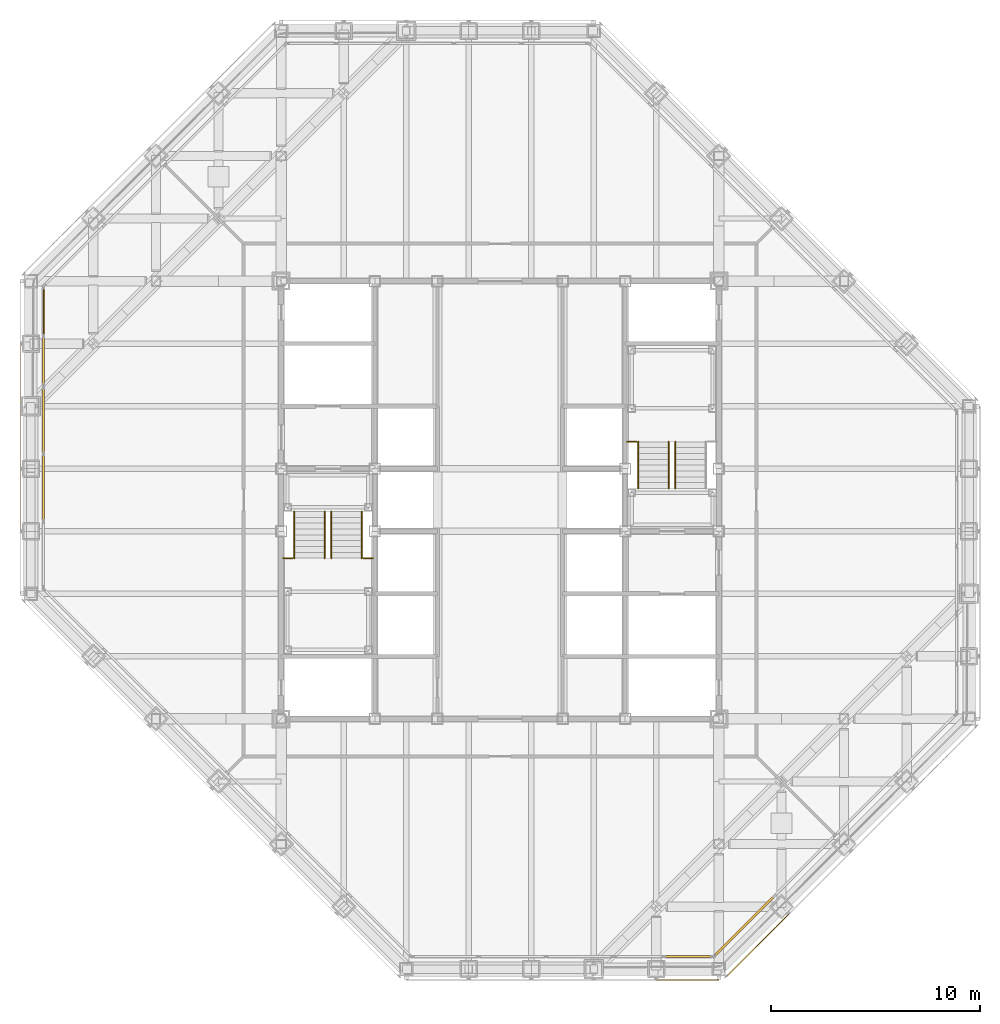
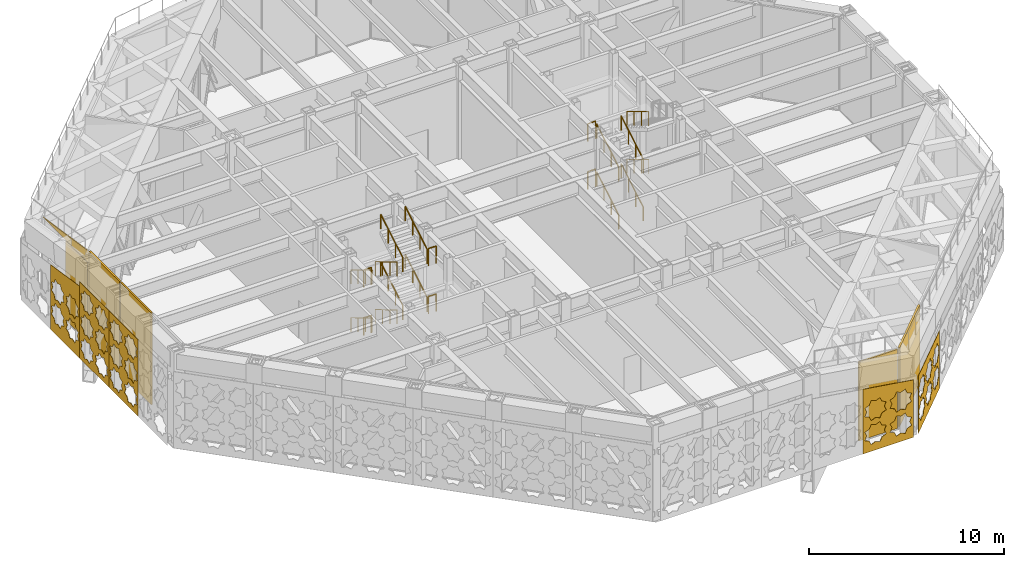
# One storey, part 24 of 29: 20 railings, 6 coverings, 5 shading devices, 4 elements without a shape of their own.
"""IFC4 building model written with IfcOpenShell, lengths in metres."""

from ifc_helpers import new_model, si_unit, direction, frame, origin, origin_2d, place, context, subcontext, project, spatial, polyline, rectangle, circle, outline, extrude, material, layer, layer_set, type_object, element, aggregate, save


model = new_model("IFC4")

# Units and contexts
model_context = context("Model", 3, precision=1e-05, world=origin(), true_north=direction((0.0, 1.0)))
body_context = subcontext(model_context, "Body", "Model", "MODEL_VIEW")
ifc_project = project(units=[si_unit("LENGTHUNIT", "METRE"), si_unit("AREAUNIT", "SQUARE_METRE"), si_unit("VOLUMEUNIT", "CUBIC_METRE"), si_unit("PLANEANGLEUNIT", "RADIAN"), si_unit("MASSUNIT", "GRAM", prefix="KILO")], contexts=[model_context])

# Site, building, storey
site_placement = place(None, origin())
site = spatial("IfcSite", under=ifc_project, at=site_placement, CompositionType="ELEMENT")
building_placement = place(site_placement, origin())
building = spatial("IfcBuilding", under=site, at=building_placement, Name="Chuquiago Exchange Tower", CompositionType="ELEMENT")
storey_placement = place(building_placement, frame((0.0, 0.0, 251.699951171875)))
storey = spatial("IfcBuildingStorey", under=building, at=storey_placement, Name="L56", CompositionType="ELEMENT", Elevation=251.699951171875)

# Curtain wall, shading device
ifc_material_1 = material(Name="Aluminium curtain wall system", Category="aluminium")
ifc_layer_1 = layer(ifc_material_1, 0.199951171875)
ifc_layer_set_1 = layer_set([ifc_layer_1], Name="CW6 plant floor louvre wall")
curtain_wall_type = type_object("IfcCurtainWallType", Name="CW6 plant floor louvre wall", PredefinedType="NOTDEFINED", material=ifc_layer_set_1)
curtain_wall_1_placement = place(storey_placement, origin())
curtain_wall_1 = element("IfcCurtainWall", 1, at=curtain_wall_1_placement, inside=storey, type_object=curtain_wall_type, Name="CW6 curtain wall L56", PredefinedType="NOTDEFINED")
ifc_material_2 = material(Name="Aluminium louvre", Category="aluminium")
ifc_layer_2 = layer(ifc_material_2, 0.10009765625)
ifc_layer_set_2 = layer_set([ifc_layer_2], Name="CW6-P louvre panel 100")
shading_device_type = type_object("IfcShadingDeviceType", Name="CW6-P louvre panel 100", PredefinedType="USERDEFINED", material=ifc_layer_set_2)
shading_device_1_placement = place(storey_placement, frame((31.533203125, 0.60009765625, 0.074951171875), z_axis=(0.0, 0.0, 1.0), x_axis=(1.0, 0.0, 0.0)))
shading_device_1 = element("IfcShadingDevice", 2, at=shading_device_1_placement, type_object=shading_device_type, Name="CW6 panel 2.1", ObjectType="LOUVER", PredefinedType="USERDEFINED", context=body_context, shape_type="SweptSolid", body=[
    extrude(rectangle(XDim=2.286376953125, YDim=0.10009765625, at=origin_2d()), origin(), (0.0, 0.0, 1.0), 4.9462890625),
])
aggregate(curtain_wall_1, [shading_device_1])

curtain_wall_2_placement = place(storey_placement, origin())
curtain_wall_2 = element("IfcCurtainWall", 3, at=curtain_wall_2_placement, inside=storey, type_object=curtain_wall_type, Name="CW6 curtain wall L56", PredefinedType="NOTDEFINED")
shading_device_2_placement = place(storey_placement, frame((34.220703125, 2.0693359375, 0.074951171875), z_axis=(0.0, 0.0, 1.0), x_axis=(0.707106781187, 0.707106781187, 0.0)))
shading_device_2 = element("IfcShadingDevice", 4, at=shading_device_2_placement, type_object=shading_device_type, Name="CW6 panel 1.1", ObjectType="LOUVER", PredefinedType="USERDEFINED", context=body_context, shape_type="SweptSolid", body=[
    extrude(rectangle(XDim=4.005859375, YDim=0.10009765625, at=origin_2d()), origin(), (0.0, 0.0, 1.0), 4.9462890625),
])
aggregate(curtain_wall_2, [shading_device_2])

curtain_wall_3_placement = place(storey_placement, origin())
curtain_wall_3 = element("IfcCurtainWall", 5, at=curtain_wall_3_placement, inside=storey, type_object=curtain_wall_type, Name="CW6 curtain wall L56", PredefinedType="NOTDEFINED")
shading_device_3_placement = place(storey_placement, frame((0.60009765625, 29.171875, 0.074951171875), z_axis=(0.0, 0.0, 1.0), x_axis=(0.0, -1.0, 0.0)))
shading_device_3 = element("IfcShadingDevice", 6, at=shading_device_3_placement, type_object=shading_device_type, Name="CW6 panel 2.1", ObjectType="LOUVER", PredefinedType="USERDEFINED", context=body_context, shape_type="SweptSolid", body=[
    extrude(rectangle(XDim=2.286376953125, YDim=0.10009765625, at=origin_2d()), origin(), (0.0, 0.0, 1.0), 4.9462890625),
])
aggregate(curtain_wall_3, [shading_device_3])

# Curtain wall, shading devices
curtain_wall_4_placement = place(storey_placement, origin())
curtain_wall_4 = element("IfcCurtainWall", 7, at=curtain_wall_4_placement, inside=storey, type_object=curtain_wall_type, Name="CW6 curtain wall L56", PredefinedType="NOTDEFINED")
shading_device_4_placement = place(storey_placement, frame((0.60009765625, 26.3173828125, 0.0751953125), z_axis=(0.0, 0.0, 1.0), x_axis=(0.0, -1.0, 0.0)))
shading_device_4 = element("IfcShadingDevice", 8, at=shading_device_4_placement, type_object=shading_device_type, Name="CW6 panel 1.1", ObjectType="LOUVER", PredefinedType="USERDEFINED", context=body_context, shape_type="SweptSolid", body=[
    extrude(rectangle(XDim=3.12255859375, YDim=0.10009765625, at=origin_2d()), origin(), (0.0, 0.0, 1.0), 5.764892578125),
])
shading_device_5_placement = place(storey_placement, frame((0.60009765625, 23.10107421875, 0.0751953125), z_axis=(0.0, 0.0, 1.0), x_axis=(0.0, -1.0, 0.0)))
shading_device_5 = element("IfcShadingDevice", 9, at=shading_device_5_placement, type_object=shading_device_type, Name="CW6 panel 2.1", ObjectType="LOUVER", PredefinedType="USERDEFINED", context=body_context, shape_type="SweptSolid", body=[
    extrude(rectangle(XDim=3.159912109375, YDim=0.10009765625, at=origin_2d()), origin(), (0.0, 0.0, 1.0), 5.764892578125),
])
aggregate(curtain_wall_4, [shading_device_4, shading_device_5])

# Coverings
ifc_material_3 = material(Name="Pale metal insulated fascia panel", Category="aluminium")
ifc_layer_3 = layer(ifc_material_3, 0.050048828125)
ifc_layer_set_3 = layer_set([ifc_layer_3], Name="FX1 raked fascia panel 50")
covering_type_1 = type_object("IfcCoveringType", Name="FX1 raked fascia panel 50", PredefinedType="CLADDING", material=ifc_layer_set_3)
covering_1_placement = place(storey_placement, frame((0.60009765625, 32.75146484375, 5.021240234375), z_axis=(-1.0, 0.0, 0.0), x_axis=(0.0, -1.0, 0.0)))
element("IfcCovering", 10, at=covering_1_placement, inside=storey, type_object=covering_type_1, Name="Raked fascia L56 W under the NW facet roof", PredefinedType="CLADDING", context=body_context, shape_type="SweptSolid", body=[
    extrude(outline(polyline([(0.0, 0.0), (4.7978515625, 0.0), (4.7978515625, 0.72119140625), (0.0, 0.0)])), origin(), (0.0, 0.0, -1.0), 0.050048828125),
])
ifc_material_4 = material(Name="Anodised aluminium, pale", Category="aluminium")
ifc_layer_4 = layer(ifc_material_4, 0.02001953125)
ifc_layer_set_4 = layer_set([ifc_layer_4], Name="GC1 girih cladding panel 20")
covering_type_2 = type_object("IfcCoveringType", Name="GC1 girih cladding panel 20", PredefinedType="CLADDING", material=ifc_layer_set_4)
covering_2_placement = place(storey_placement, frame((30.0048828125, -0.5, 0.050048828125), z_axis=(0.0, 0.0, 1.0), x_axis=(1.0, 0.0, 0.0)))
element("IfcCovering", 11, at=covering_2_placement, inside=storey, type_object=covering_type_2, Name="Girih cladding panel L56 S 5", PredefinedType="CLADDING", context=body_context, shape_type="SweptSolid", body=[
    extrude(outline(polyline([(0.0, 0.0), (2.989990234375, 0.0), (2.989990234375, 3.59912109375), (0.0, 4.04833984375), (0.0, 0.0)]), holes=[polyline([(1.27392578125, 1.052001953125), (1.3828125, 1.315185546875), (1.11962890625, 1.42431640625), (1.0107421875, 1.6875), (0.74755859375, 1.578369140625), (0.484375, 1.6875), (0.375244140625, 1.42431640625), (0.112060546875, 1.315185546875), (0.22119140625, 1.052001953125), (0.112060546875, 0.788818359375), (0.375244140625, 0.6796875), (0.484375, 0.41650390625), (0.74755859375, 0.525634765625), (1.0107421875, 0.41650390625), (1.11962890625, 0.6796875), (1.3828125, 0.788818359375), (1.27392578125, 1.052001953125)]), polyline([(2.768798828125, 1.052001953125), (2.8779296875, 1.315185546875), (2.61474609375, 1.42431640625), (2.505615234375, 1.6875), (2.242431640625, 1.578369140625), (1.979248046875, 1.6875), (1.870361328125, 1.42431640625), (1.607177734375, 1.315185546875), (1.716064453125, 1.052001953125), (1.607177734375, 0.788818359375), (1.870361328125, 0.6796875), (1.979248046875, 0.41650390625), (2.242431640625, 0.525634765625), (2.505615234375, 0.41650390625), (2.61474609375, 0.6796875), (2.8779296875, 0.788818359375), (2.768798828125, 1.052001953125)]), polyline([(1.27392578125, 2.547119140625), (1.3828125, 2.810302734375), (1.11962890625, 2.919189453125), (1.0107421875, 3.182373046875), (0.74755859375, 3.073486328125), (0.484375, 3.182373046875), (0.375244140625, 2.919189453125), (0.112060546875, 2.810302734375), (0.22119140625, 2.547119140625), (0.112060546875, 2.28369140625), (0.375244140625, 2.1748046875), (0.484375, 1.91162109375), (0.74755859375, 2.0205078125), (1.0107421875, 1.91162109375), (1.11962890625, 2.1748046875), (1.3828125, 2.28369140625), (1.27392578125, 2.547119140625)]), polyline([(2.768798828125, 2.547119140625), (2.8779296875, 2.810302734375), (2.61474609375, 2.919189453125), (2.505615234375, 3.182373046875), (2.242431640625, 3.073486328125), (1.979248046875, 3.182373046875), (1.870361328125, 2.919189453125), (1.607177734375, 2.810302734375), (1.716064453125, 2.547119140625), (1.607177734375, 2.28369140625), (1.870361328125, 2.1748046875), (1.979248046875, 1.91162109375), (2.242431640625, 2.0205078125), (2.505615234375, 1.91162109375), (2.61474609375, 2.1748046875), (2.8779296875, 2.28369140625), (2.768798828125, 2.547119140625)])]), frame((0.0, 0.0, 0.0), z_axis=(0.0, -1.0, 0.0), x_axis=(1.0, 0.0, 0.0)), (0.0, 0.0, 1.0), 0.02001953125),
])
covering_3_placement = place(storey_placement, frame((-0.5, 29.9951171875, 0.050048828125), z_axis=(0.0, 0.0, 1.0), x_axis=(0.0, -1.0, 0.0)))
element("IfcCovering", 12, at=covering_3_placement, inside=storey, type_object=covering_type_2, Name="Girih cladding panel L56 W 2", PredefinedType="CLADDING", context=body_context, shape_type="SweptSolid", body=[
    extrude(outline(polyline([(0.0, 0.0), (2.989990234375, 0.0), (2.989990234375, 4.499267578125), (0.0, 4.0498046875), (0.0, 0.0)]), holes=[polyline([(1.27392578125, 1.27734375), (1.3828125, 1.54052734375), (1.11962890625, 1.649658203125), (1.0107421875, 1.912841796875), (0.74755859375, 1.8037109375), (0.484375, 1.912841796875), (0.375244140625, 1.649658203125), (0.112060546875, 1.54052734375), (0.22119140625, 1.27734375), (0.112060546875, 1.014404296875), (0.375244140625, 0.9052734375), (0.484375, 0.64208984375), (0.74755859375, 0.751220703125), (1.0107421875, 0.64208984375), (1.11962890625, 0.9052734375), (1.3828125, 1.014404296875), (1.27392578125, 1.27734375)]), polyline([(2.768798828125, 1.27734375), (2.8779296875, 1.54052734375), (2.61474609375, 1.649658203125), (2.505615234375, 1.912841796875), (2.242431640625, 1.8037109375), (1.979248046875, 1.912841796875), (1.870361328125, 1.649658203125), (1.607177734375, 1.54052734375), (1.716064453125, 1.27734375), (1.607177734375, 1.014404296875), (1.870361328125, 0.9052734375), (1.979248046875, 0.64208984375), (2.242431640625, 0.751220703125), (2.505615234375, 0.64208984375), (2.61474609375, 0.9052734375), (2.8779296875, 1.014404296875), (2.768798828125, 1.27734375)]), polyline([(1.27392578125, 2.7724609375), (1.3828125, 3.03564453125), (1.11962890625, 3.14453125), (1.0107421875, 3.40771484375), (0.74755859375, 3.298828125), (0.484375, 3.40771484375), (0.375244140625, 3.14453125), (0.112060546875, 3.03564453125), (0.22119140625, 2.7724609375), (0.112060546875, 2.50927734375), (0.375244140625, 2.400390625), (0.484375, 2.13720703125), (0.74755859375, 2.24609375), (1.0107421875, 2.13720703125), (1.11962890625, 2.400390625), (1.3828125, 2.50927734375), (1.27392578125, 2.7724609375)]), polyline([(2.768798828125, 2.7724609375), (2.8779296875, 3.03564453125), (2.61474609375, 3.14453125), (2.505615234375, 3.40771484375), (2.242431640625, 3.298828125), (1.979248046875, 3.40771484375), (1.870361328125, 3.14453125), (1.607177734375, 3.03564453125), (1.716064453125, 2.7724609375), (1.607177734375, 2.50927734375), (1.870361328125, 2.400390625), (1.979248046875, 2.13720703125), (2.242431640625, 2.24609375), (2.505615234375, 2.13720703125), (2.61474609375, 2.400390625), (2.8779296875, 2.50927734375), (2.768798828125, 2.7724609375)])]), frame((0.0, 0.0, 0.0), z_axis=(0.0, -1.0, 0.0), x_axis=(1.0, 0.0, 0.0)), (0.0, 0.0, 1.0), 0.02001953125),
])
covering_4_placement = place(storey_placement, frame((-0.5, 26.9951171875, 0.050048828125), z_axis=(0.0, 0.0, 1.0), x_axis=(0.0, -1.0, 0.0)))
element("IfcCovering", 13, at=covering_4_placement, inside=storey, type_object=covering_type_2, Name="Girih cladding panel L56 W 3", PredefinedType="CLADDING", context=body_context, shape_type="SweptSolid", body=[
    extrude(outline(polyline([(0.0, 0.0), (2.989990234375, 0.0), (2.989990234375, 4.7900390625), (0.0, 4.7900390625), (0.0, 0.0)]), holes=[polyline([(1.27392578125, 0.89990234375), (1.3828125, 1.1630859375), (1.11962890625, 1.272216796875), (1.0107421875, 1.535400390625), (0.74755859375, 1.426513671875), (0.484375, 1.535400390625), (0.375244140625, 1.272216796875), (0.112060546875, 1.1630859375), (0.22119140625, 0.89990234375), (0.112060546875, 0.63671875), (0.375244140625, 0.52783203125), (0.484375, 0.2646484375), (0.74755859375, 0.37353515625), (1.0107421875, 0.2646484375), (1.11962890625, 0.52783203125), (1.3828125, 0.63671875), (1.27392578125, 0.89990234375)]), polyline([(2.768798828125, 0.89990234375), (2.8779296875, 1.1630859375), (2.61474609375, 1.272216796875), (2.505615234375, 1.535400390625), (2.242431640625, 1.426513671875), (1.979248046875, 1.535400390625), (1.870361328125, 1.272216796875), (1.607177734375, 1.1630859375), (1.716064453125, 0.89990234375), (1.607177734375, 0.63671875), (1.870361328125, 0.52783203125), (1.979248046875, 0.2646484375), (2.242431640625, 0.37353515625), (2.505615234375, 0.2646484375), (2.61474609375, 0.52783203125), (2.8779296875, 0.63671875), (2.768798828125, 0.89990234375)]), polyline([(1.27392578125, 2.39501953125), (1.3828125, 2.658203125), (1.11962890625, 2.76708984375), (1.0107421875, 3.030517578125), (0.74755859375, 2.92138671875), (0.484375, 3.030517578125), (0.375244140625, 2.76708984375), (0.112060546875, 2.658203125), (0.22119140625, 2.39501953125), (0.112060546875, 2.1318359375), (0.375244140625, 2.022705078125), (0.484375, 1.759521484375), (0.74755859375, 1.86865234375), (1.0107421875, 1.759521484375), (1.11962890625, 2.022705078125), (1.3828125, 2.1318359375), (1.27392578125, 2.39501953125)]), polyline([(2.768798828125, 2.39501953125), (2.8779296875, 2.658203125), (2.61474609375, 2.76708984375), (2.505615234375, 3.030517578125), (2.242431640625, 2.92138671875), (1.979248046875, 3.030517578125), (1.870361328125, 2.76708984375), (1.607177734375, 2.658203125), (1.716064453125, 2.39501953125), (1.607177734375, 2.1318359375), (1.870361328125, 2.022705078125), (1.979248046875, 1.759521484375), (2.242431640625, 1.86865234375), (2.505615234375, 1.759521484375), (2.61474609375, 2.022705078125), (2.8779296875, 2.1318359375), (2.768798828125, 2.39501953125)]), polyline([(1.27392578125, 3.889892578125), (1.3828125, 4.1533203125), (1.11962890625, 4.26220703125), (1.0107421875, 4.525390625), (0.74755859375, 4.41650390625), (0.484375, 4.525390625), (0.375244140625, 4.26220703125), (0.112060546875, 4.1533203125), (0.22119140625, 3.889892578125), (0.112060546875, 3.626708984375), (0.375244140625, 3.517822265625), (0.484375, 3.254638671875), (0.74755859375, 3.363525390625), (1.0107421875, 3.254638671875), (1.11962890625, 3.517822265625), (1.3828125, 3.626708984375), (1.27392578125, 3.889892578125)]), polyline([(2.768798828125, 3.889892578125), (2.8779296875, 4.1533203125), (2.61474609375, 4.26220703125), (2.505615234375, 4.525390625), (2.242431640625, 4.41650390625), (1.979248046875, 4.525390625), (1.870361328125, 4.26220703125), (1.607177734375, 4.1533203125), (1.716064453125, 3.889892578125), (1.607177734375, 3.626708984375), (1.870361328125, 3.517822265625), (1.979248046875, 3.254638671875), (2.242431640625, 3.363525390625), (2.505615234375, 3.254638671875), (2.61474609375, 3.517822265625), (2.8779296875, 3.626708984375), (2.768798828125, 3.889892578125)])]), frame((0.0, 0.0, 0.0), z_axis=(0.0, -1.0, 0.0), x_axis=(1.0, 0.0, 0.0)), (0.0, 0.0, 1.0), 0.02001953125),
])
covering_5_placement = place(storey_placement, frame((-0.5, 23.9951171875, 0.050048828125), z_axis=(0.0, 0.0, 1.0), x_axis=(0.0, -1.0, 0.0)))
element("IfcCovering", 14, at=covering_5_placement, inside=storey, type_object=covering_type_2, Name="Girih cladding panel L56 W 4", PredefinedType="CLADDING", context=body_context, shape_type="SweptSolid", body=[
    extrude(outline(polyline([(0.0, 0.0), (2.989990234375, 0.0), (2.989990234375, 4.7900390625), (0.0, 4.7900390625), (0.0, 0.0)]), holes=[polyline([(1.27392578125, 0.89990234375), (1.3828125, 1.1630859375), (1.11962890625, 1.272216796875), (1.0107421875, 1.535400390625), (0.74755859375, 1.426513671875), (0.484375, 1.535400390625), (0.375244140625, 1.272216796875), (0.112060546875, 1.1630859375), (0.22119140625, 0.89990234375), (0.112060546875, 0.63671875), (0.375244140625, 0.52783203125), (0.484375, 0.2646484375), (0.74755859375, 0.37353515625), (1.0107421875, 0.2646484375), (1.11962890625, 0.52783203125), (1.3828125, 0.63671875), (1.27392578125, 0.89990234375)]), polyline([(2.768798828125, 0.89990234375), (2.8779296875, 1.1630859375), (2.61474609375, 1.272216796875), (2.505615234375, 1.535400390625), (2.242431640625, 1.426513671875), (1.979248046875, 1.535400390625), (1.870361328125, 1.272216796875), (1.607177734375, 1.1630859375), (1.716064453125, 0.89990234375), (1.607177734375, 0.63671875), (1.870361328125, 0.52783203125), (1.979248046875, 0.2646484375), (2.242431640625, 0.37353515625), (2.505615234375, 0.2646484375), (2.61474609375, 0.52783203125), (2.8779296875, 0.63671875), (2.768798828125, 0.89990234375)]), polyline([(1.27392578125, 2.39501953125), (1.3828125, 2.658203125), (1.11962890625, 2.76708984375), (1.0107421875, 3.030517578125), (0.74755859375, 2.92138671875), (0.484375, 3.030517578125), (0.375244140625, 2.76708984375), (0.112060546875, 2.658203125), (0.22119140625, 2.39501953125), (0.112060546875, 2.1318359375), (0.375244140625, 2.022705078125), (0.484375, 1.759521484375), (0.74755859375, 1.86865234375), (1.0107421875, 1.759521484375), (1.11962890625, 2.022705078125), (1.3828125, 2.1318359375), (1.27392578125, 2.39501953125)]), polyline([(2.768798828125, 2.39501953125), (2.8779296875, 2.658203125), (2.61474609375, 2.76708984375), (2.505615234375, 3.030517578125), (2.242431640625, 2.92138671875), (1.979248046875, 3.030517578125), (1.870361328125, 2.76708984375), (1.607177734375, 2.658203125), (1.716064453125, 2.39501953125), (1.607177734375, 2.1318359375), (1.870361328125, 2.022705078125), (1.979248046875, 1.759521484375), (2.242431640625, 1.86865234375), (2.505615234375, 1.759521484375), (2.61474609375, 2.022705078125), (2.8779296875, 2.1318359375), (2.768798828125, 2.39501953125)]), polyline([(1.27392578125, 3.889892578125), (1.3828125, 4.1533203125), (1.11962890625, 4.26220703125), (1.0107421875, 4.525390625), (0.74755859375, 4.41650390625), (0.484375, 4.525390625), (0.375244140625, 4.26220703125), (0.112060546875, 4.1533203125), (0.22119140625, 3.889892578125), (0.112060546875, 3.626708984375), (0.375244140625, 3.517822265625), (0.484375, 3.254638671875), (0.74755859375, 3.363525390625), (1.0107421875, 3.254638671875), (1.11962890625, 3.517822265625), (1.3828125, 3.626708984375), (1.27392578125, 3.889892578125)]), polyline([(2.768798828125, 3.889892578125), (2.8779296875, 4.1533203125), (2.61474609375, 4.26220703125), (2.505615234375, 4.525390625), (2.242431640625, 4.41650390625), (1.979248046875, 4.525390625), (1.870361328125, 4.26220703125), (1.607177734375, 4.1533203125), (1.716064453125, 3.889892578125), (1.607177734375, 3.626708984375), (1.870361328125, 3.517822265625), (1.979248046875, 3.254638671875), (2.242431640625, 3.363525390625), (2.505615234375, 3.254638671875), (2.61474609375, 3.517822265625), (2.8779296875, 3.626708984375), (2.768798828125, 3.889892578125)])]), frame((0.0, 0.0, 0.0), z_axis=(0.0, -1.0, 0.0), x_axis=(1.0, 0.0, 0.0)), (0.0, 0.0, 1.0), 0.02001953125),
])
ifc_material_5 = material(Name="Anodised aluminium, pale", Category="aluminium")
ifc_layer_5 = layer(ifc_material_5, 0.02001953125)
ifc_layer_set_5 = layer_set([ifc_layer_5], Name="GC2 girih cladding panel 20")
covering_type_3 = type_object("IfcCoveringType", Name="GC2 girih cladding panel 20", PredefinedType="CLADDING", material=ifc_layer_set_5)
covering_6_placement = place(storey_placement, frame((33.357177734375, -0.35009765625, 0.050048828125), z_axis=(0.0, 0.0, 1.0), x_axis=(0.707106781187, 0.707106781187, 0.0)))
element("IfcCovering", 15, at=covering_6_placement, inside=storey, type_object=covering_type_3, Name="Girih cladding panel L56 SE 1", PredefinedType="CLADDING", context=body_context, shape_type="SweptSolid", body=[
    extrude(outline(polyline([(0.0, 0.0), (4.232666015625, 0.0), (4.232666015625, 3.59814453125), (0.0, 3.59814453125), (0.0, 0.0)]), holes=[polyline([(1.2021484375, 1.093505859375), (1.304931640625, 1.342041015625), (1.056640625, 1.44482421875), (0.953857421875, 1.693115234375), (0.70556640625, 1.59033203125), (0.45703125, 1.693115234375), (0.354248046875, 1.44482421875), (0.10595703125, 1.342041015625), (0.208740234375, 1.093505859375), (0.10595703125, 0.84521484375), (0.354248046875, 0.742431640625), (0.45703125, 0.494140625), (0.705322265625, 0.596923828125), (0.953857421875, 0.494140625), (1.056640625, 0.742431640625), (1.304931640625, 0.84521484375), (1.2021484375, 1.093505859375)]), polyline([(2.613037109375, 1.093505859375), (2.7158203125, 1.342041015625), (2.467529296875, 1.44482421875), (2.36474609375, 1.693115234375), (2.116455078125, 1.59033203125), (1.867919921875, 1.693115234375), (1.76513671875, 1.44482421875), (1.516845703125, 1.342041015625), (1.61962890625, 1.093505859375), (1.516845703125, 0.84521484375), (1.76513671875, 0.742431640625), (1.867919921875, 0.494140625), (2.116455078125, 0.596923828125), (2.36474609375, 0.494140625), (2.467529296875, 0.742431640625), (2.7158203125, 0.84521484375), (2.613037109375, 1.093505859375)]), polyline([(4.02392578125, 1.093505859375), (4.126708984375, 1.342041015625), (3.87841796875, 1.44482421875), (3.775634765625, 1.693115234375), (3.527099609375, 1.59033203125), (3.27880859375, 1.693115234375), (3.176025390625, 1.44482421875), (2.927734375, 1.342041015625), (3.030517578125, 1.093505859375), (2.927734375, 0.84521484375), (3.176025390625, 0.742431640625), (3.27880859375, 0.494140625), (3.527099609375, 0.596923828125), (3.775634765625, 0.494140625), (3.87841796875, 0.742431640625), (4.126708984375, 0.84521484375), (4.02392578125, 1.093505859375)]), polyline([(1.2021484375, 2.50439453125), (1.304931640625, 2.7529296875), (1.056640625, 2.855712890625), (0.953857421875, 3.10400390625), (0.70556640625, 3.001220703125), (0.45703125, 3.10400390625), (0.354248046875, 2.855712890625), (0.10595703125, 2.7529296875), (0.208740234375, 2.50439453125), (0.10595703125, 2.256103515625), (0.354248046875, 2.1533203125), (0.45703125, 1.905029296875), (0.705322265625, 2.0078125), (0.953857421875, 1.905029296875), (1.056640625, 2.1533203125), (1.304931640625, 2.256103515625), (1.2021484375, 2.50439453125)]), polyline([(2.613037109375, 2.50439453125), (2.7158203125, 2.7529296875), (2.467529296875, 2.855712890625), (2.36474609375, 3.10400390625), (2.116455078125, 3.001220703125), (1.867919921875, 3.10400390625), (1.76513671875, 2.855712890625), (1.516845703125, 2.7529296875), (1.61962890625, 2.50439453125), (1.516845703125, 2.256103515625), (1.76513671875, 2.1533203125), (1.867919921875, 1.905029296875), (2.116455078125, 2.0078125), (2.36474609375, 1.905029296875), (2.467529296875, 2.1533203125), (2.7158203125, 2.256103515625), (2.613037109375, 2.50439453125)]), polyline([(4.02392578125, 2.50439453125), (4.126708984375, 2.7529296875), (3.87841796875, 2.855712890625), (3.775634765625, 3.10400390625), (3.527099609375, 3.001220703125), (3.27880859375, 3.10400390625), (3.176025390625, 2.855712890625), (2.927734375, 2.7529296875), (3.030517578125, 2.50439453125), (2.927734375, 2.256103515625), (3.176025390625, 2.1533203125), (3.27880859375, 1.905029296875), (3.527099609375, 2.0078125), (3.775634765625, 1.905029296875), (3.87841796875, 2.1533203125), (4.126708984375, 2.256103515625), (4.02392578125, 2.50439453125)])]), frame((0.0, 0.0, 0.0), z_axis=(0.0, -1.0, 0.0), x_axis=(1.0, 0.0, 0.0)), (0.0, 0.0, 1.0), 0.02001953125),
])

# Railings
ifc_material_6 = material(Name="Pale metal guard with safety glass infill", Category="glass")
railing_type_1 = type_object("IfcRailingType", Name="GR1 guard 1100", PredefinedType="GUARDRAIL", material=ifc_material_6)
for number, where, name in (
    (16, (12.10009765625, 19.7099609375, 1.5), "Guard ST1 L56 landing 2"),
    (17, (15.945068359375, 19.7099609375, 1.5), "Guard ST1 L56 landing 2"),
    (18, (12.10009765625, 19.7099609375, 4.5), "Guard ST1 L56 landing 4"),
    (19, (15.945068359375, 19.7099609375, 4.5), "Guard ST1 L56 landing 4"),
    (20, (28.60009765625, 25.2900390625, 1.5), "Guard ST2 L56 landing 2"),
    (21, (28.60009765625, 25.2900390625, 4.5), "Guard ST2 L56 landing 4"),
):
    element("IfcRailing", number, at=place(storey_placement, frame(where)), inside=storey, type_object=railing_type_1, Name=name, PredefinedType="GUARDRAIL", context=body_context, shape_type="SweptSolid", body=[
        extrude(circle(Radius=0.02392578125, at=origin_2d()), frame((0.0, 0.0, 1.076171875), z_axis=(1.0, 0.0, 0.0), x_axis=(0.0, 1.0, 0.0)), (0.0, 0.0, 1.0), 0.454833984375),
        extrude(circle(Radius=0.02099609375, at=origin_2d()), origin(), (0.0, 0.0, 1.0), 1.052001953125),
        extrude(circle(Radius=0.02099609375, at=origin_2d()), frame((0.454833984375, 0.0, 0.0)), (0.0, 0.0, 1.0), 1.052001953125),
    ])
ifc_material_7 = material(Name="Pale metal handrail", Category="steel")
railing_type_2 = type_object("IfcRailingType", Name="HR1 handrail 900", PredefinedType="HANDRAIL", material=ifc_material_7)
for number, where, name in (
    (22, (12.635009765625, 21.949951171875, 0.166748046875), "Handrail ST1 L56 flight 1"),
    (23, (14.0849609375, 21.949951171875, 0.166748046875), "Handrail ST1 L56 flight 1"),
):
    element("IfcRailing", number, at=place(storey_placement, frame(where)), inside=storey, type_object=railing_type_2, Name=name, PredefinedType="HANDRAIL", context=body_context, shape_type="SweptSolid", body=[
        extrude(circle(Radius=0.02392578125, at=origin_2d()), frame((0.0, 0.0, 0.8759765625), z_axis=(0.0, -0.859305625298, 0.511462454469), x_axis=(1.0, 0.0, 0.0)), (0.0, 0.0, 1.0), 2.606689453125),
        extrude(circle(Radius=0.02099609375, at=origin_2d()), origin(), (0.0, 0.0, 1.0), 0.851806640625),
        extrude(circle(Radius=0.02099609375, at=origin_2d()), frame((0.0, -0.74658203125, 0.4443359375)), (0.0, 0.0, 1.0), 0.851806640625),
        extrude(circle(Radius=0.02099609375, at=origin_2d()), frame((0.0, -1.493408203125, 0.888916015625)), (0.0, 0.0, 1.0), 0.851806640625),
        extrude(circle(Radius=0.02099609375, at=origin_2d()), frame((0.0, -2.239990234375, 1.333251953125)), (0.0, 0.0, 1.0), 0.851806640625),
    ])
for number, where, name in (
    (24, (15.864990234375, 19.7099609375, 1.666748046875), "Handrail ST1 L56 flight 2"),
    (25, (14.4150390625, 19.7099609375, 1.666748046875), "Handrail ST1 L56 flight 2"),
):
    element("IfcRailing", number, at=place(storey_placement, frame(where)), inside=storey, type_object=railing_type_2, Name=name, PredefinedType="HANDRAIL", context=body_context, shape_type="SweptSolid", body=[
        extrude(circle(Radius=0.02392578125, at=origin_2d()), frame((0.0, 0.0, 0.8759765625), z_axis=(0.0, 0.859305625298, 0.511462454469), x_axis=(-1.0, 0.0, 0.0)), (0.0, 0.0, 1.0), 2.606689453125),
        extrude(circle(Radius=0.02099609375, at=origin_2d()), origin(), (0.0, 0.0, 1.0), 0.851806640625),
        extrude(circle(Radius=0.02099609375, at=origin_2d()), frame((0.0, 0.74658203125, 0.4443359375)), (0.0, 0.0, 1.0), 0.851806640625),
        extrude(circle(Radius=0.02099609375, at=origin_2d()), frame((0.0, 1.493408203125, 0.888916015625)), (0.0, 0.0, 1.0), 0.851806640625),
        extrude(circle(Radius=0.02099609375, at=origin_2d()), frame((0.0, 2.239990234375, 1.333251953125)), (0.0, 0.0, 1.0), 0.851806640625),
    ])
for number, where, name in (
    (26, (12.635009765625, 21.949951171875, 3.166748046875), "Handrail ST1 L56 flight 3"),
    (27, (14.0849609375, 21.949951171875, 3.166748046875), "Handrail ST1 L56 flight 3"),
):
    element("IfcRailing", number, at=place(storey_placement, frame(where)), inside=storey, type_object=railing_type_2, Name=name, PredefinedType="HANDRAIL", context=body_context, shape_type="SweptSolid", body=[
        extrude(circle(Radius=0.02392578125, at=origin_2d()), frame((0.0, 0.0, 0.8759765625), z_axis=(0.0, -0.859305625298, 0.511462454469), x_axis=(1.0, 0.0, 0.0)), (0.0, 0.0, 1.0), 2.606689453125),
        extrude(circle(Radius=0.02099609375, at=origin_2d()), origin(), (0.0, 0.0, 1.0), 0.851806640625),
        extrude(circle(Radius=0.02099609375, at=origin_2d()), frame((0.0, -0.74658203125, 0.4443359375)), (0.0, 0.0, 1.0), 0.851806640625),
        extrude(circle(Radius=0.02099609375, at=origin_2d()), frame((0.0, -1.493408203125, 0.888916015625)), (0.0, 0.0, 1.0), 0.851806640625),
        extrude(circle(Radius=0.02099609375, at=origin_2d()), frame((0.0, -2.239990234375, 1.333251953125)), (0.0, 0.0, 1.0), 0.851806640625),
    ])
for number, where, name in (
    (28, (15.864990234375, 19.7099609375, 4.666748046875), "Handrail ST1 L56 flight 4"),
    (29, (14.4150390625, 19.7099609375, 4.666748046875), "Handrail ST1 L56 flight 4"),
    (30, (30.5849609375, 23.050048828125, 0.166748046875), "Handrail ST2 L56 flight 1"),
    (31, (29.135009765625, 23.050048828125, 0.166748046875), "Handrail ST2 L56 flight 1"),
):
    element("IfcRailing", number, at=place(storey_placement, frame(where)), inside=storey, type_object=railing_type_2, Name=name, PredefinedType="HANDRAIL", context=body_context, shape_type="SweptSolid", body=[
        extrude(circle(Radius=0.02392578125, at=origin_2d()), frame((0.0, 0.0, 0.8759765625), z_axis=(0.0, 0.859305625298, 0.511462454469), x_axis=(-1.0, 0.0, 0.0)), (0.0, 0.0, 1.0), 2.606689453125),
        extrude(circle(Radius=0.02099609375, at=origin_2d()), origin(), (0.0, 0.0, 1.0), 0.851806640625),
        extrude(circle(Radius=0.02099609375, at=origin_2d()), frame((0.0, 0.74658203125, 0.4443359375)), (0.0, 0.0, 1.0), 0.851806640625),
        extrude(circle(Radius=0.02099609375, at=origin_2d()), frame((0.0, 1.493408203125, 0.888916015625)), (0.0, 0.0, 1.0), 0.851806640625),
        extrude(circle(Radius=0.02099609375, at=origin_2d()), frame((0.0, 2.239990234375, 1.333251953125)), (0.0, 0.0, 1.0), 0.851806640625),
    ])
railing_1_placement = place(storey_placement, frame((30.9150390625, 25.2900390625, 1.666748046875)))
element("IfcRailing", 32, at=railing_1_placement, inside=storey, type_object=railing_type_2, Name="Handrail ST2 L56 flight 2", PredefinedType="HANDRAIL", context=body_context, shape_type="SweptSolid", body=[
    extrude(circle(Radius=0.02392578125, at=origin_2d()), frame((0.0, 0.0, 0.8759765625), z_axis=(0.0, -0.859305625298, 0.511462454469), x_axis=(1.0, 0.0, 0.0)), (0.0, 0.0, 1.0), 2.606689453125),
    extrude(circle(Radius=0.02099609375, at=origin_2d()), origin(), (0.0, 0.0, 1.0), 0.851806640625),
    extrude(circle(Radius=0.02099609375, at=origin_2d()), frame((0.0, -0.74658203125, 0.4443359375)), (0.0, 0.0, 1.0), 0.851806640625),
    extrude(circle(Radius=0.02099609375, at=origin_2d()), frame((0.0, -1.493408203125, 0.888916015625)), (0.0, 0.0, 1.0), 0.851806640625),
    extrude(circle(Radius=0.02099609375, at=origin_2d()), frame((0.0, -2.239990234375, 1.333251953125)), (0.0, 0.0, 1.0), 0.851806640625),
])
for number, where, name in (
    (33, (30.5849609375, 23.050048828125, 3.166748046875), "Handrail ST2 L56 flight 3"),
    (34, (29.135009765625, 23.050048828125, 3.166748046875), "Handrail ST2 L56 flight 3"),
):
    element("IfcRailing", number, at=place(storey_placement, frame(where)), inside=storey, type_object=railing_type_2, Name=name, PredefinedType="HANDRAIL", context=body_context, shape_type="SweptSolid", body=[
        extrude(circle(Radius=0.02392578125, at=origin_2d()), frame((0.0, 0.0, 0.8759765625), z_axis=(0.0, 0.859305625298, 0.511462454469), x_axis=(-1.0, 0.0, 0.0)), (0.0, 0.0, 1.0), 2.606689453125),
        extrude(circle(Radius=0.02099609375, at=origin_2d()), origin(), (0.0, 0.0, 1.0), 0.851806640625),
        extrude(circle(Radius=0.02099609375, at=origin_2d()), frame((0.0, 0.74658203125, 0.4443359375)), (0.0, 0.0, 1.0), 0.851806640625),
        extrude(circle(Radius=0.02099609375, at=origin_2d()), frame((0.0, 1.493408203125, 0.888916015625)), (0.0, 0.0, 1.0), 0.851806640625),
        extrude(circle(Radius=0.02099609375, at=origin_2d()), frame((0.0, 2.239990234375, 1.333251953125)), (0.0, 0.0, 1.0), 0.851806640625),
    ])
railing_2_placement = place(storey_placement, frame((30.9150390625, 25.2900390625, 4.666748046875)))
element("IfcRailing", 35, at=railing_2_placement, inside=storey, type_object=railing_type_2, Name="Handrail ST2 L56 flight 4", PredefinedType="HANDRAIL", context=body_context, shape_type="SweptSolid", body=[
    extrude(circle(Radius=0.02392578125, at=origin_2d()), frame((0.0, 0.0, 0.8759765625), z_axis=(0.0, -0.859305625298, 0.511462454469), x_axis=(1.0, 0.0, 0.0)), (0.0, 0.0, 1.0), 2.606689453125),
    extrude(circle(Radius=0.02099609375, at=origin_2d()), origin(), (0.0, 0.0, 1.0), 0.851806640625),
    extrude(circle(Radius=0.02099609375, at=origin_2d()), frame((0.0, -0.74658203125, 0.4443359375)), (0.0, 0.0, 1.0), 0.851806640625),
    extrude(circle(Radius=0.02099609375, at=origin_2d()), frame((0.0, -1.493408203125, 0.888916015625)), (0.0, 0.0, 1.0), 0.851806640625),
    extrude(circle(Radius=0.02099609375, at=origin_2d()), frame((0.0, -2.239990234375, 1.333251953125)), (0.0, 0.0, 1.0), 0.851806640625),
])

save(model, "model.ifc")
